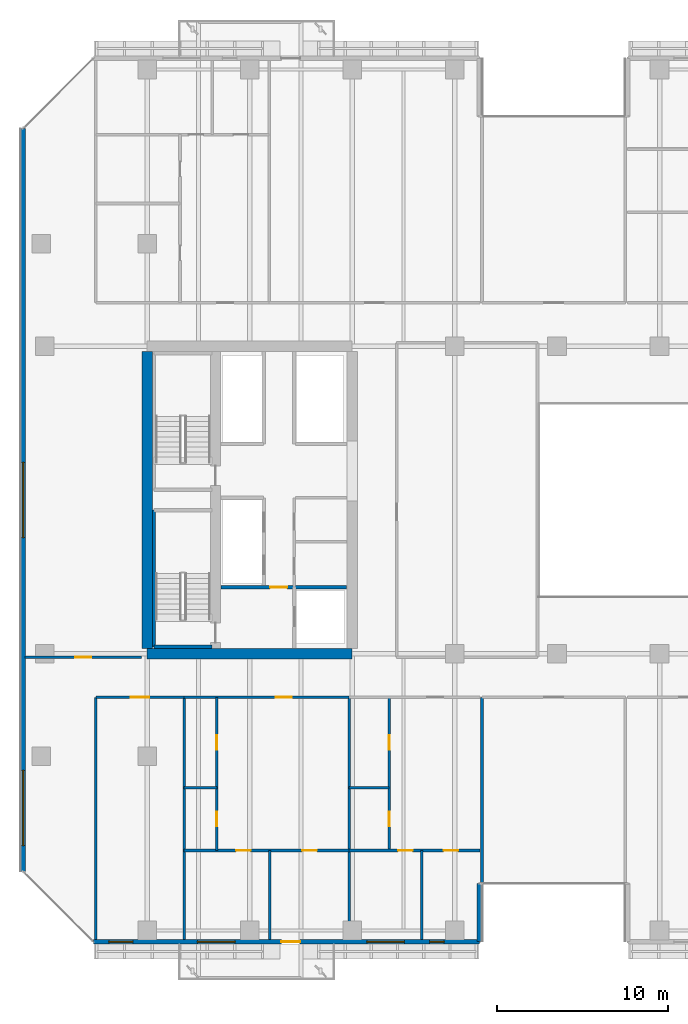
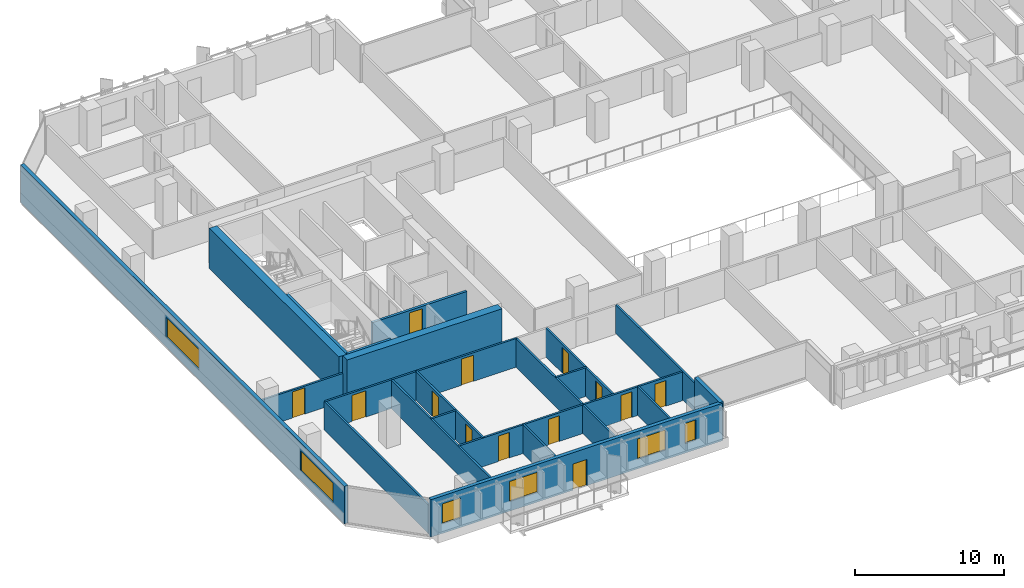
# One storey, part 19 of 34: 23 walls, 13 doors, 6 windows, 19 openings.
"""IFC4 building model written with IfcOpenShell, lengths in metres."""

from ifc_helpers import new_model, si_unit, direction, frame, frame_2d, origin, place, context, subcontext, project, spatial, rectangle, extrude, material, layer, layer_set, type_object, element, fill, save


model = new_model("IFC4")

# Units and contexts
model_context = context("Model", 3, precision=1e-05, world=origin(), true_north=direction((0.0, 1.0)))
body_context = subcontext(model_context, "Body", "Model", "MODEL_VIEW")
ifc_project = project(units=[si_unit("LENGTHUNIT", "METRE"), si_unit("AREAUNIT", "SQUARE_METRE"), si_unit("VOLUMEUNIT", "CUBIC_METRE"), si_unit("PLANEANGLEUNIT", "RADIAN"), si_unit("MASSUNIT", "GRAM", prefix="KILO")], contexts=[model_context])

# Site, building, storey
site_placement = place(None, origin())
site = spatial("IfcSite", under=ifc_project, at=site_placement, CompositionType="ELEMENT")
building_placement = place(site_placement, origin())
building = spatial("IfcBuilding", under=site, at=building_placement, Name="Tanjung Sevakor Pilgrim Tower", CompositionType="ELEMENT")
storey_placement = place(building_placement, frame((0.0, 0.0, 55.43994140625)))
storey = spatial("IfcBuildingStorey", under=building, at=storey_placement, Name="L15", CompositionType="ELEMENT", Elevation=55.43994140625)

# Walls
ifc_material_1 = material(Name="Concrete C60/75", Category="concrete")
ifc_layer_1 = layer(ifc_material_1, 0.60009765625)
ifc_layer_set_1 = layer_set([ifc_layer_1], Name="WALL-CW-600")
wall_type_1 = type_object("IfcWallType", Name="WALL-CW-600", PredefinedType="SHEAR", material=ifc_layer_set_1)
wall_1_placement = place(storey_placement, frame((24.0, 24.60009765625, 0.0), z_axis=(0.0, 0.0, 1.0), x_axis=(1.0, 0.0, 0.0)))
element("IfcWall", 1, at=wall_1_placement, inside=storey, type_object=wall_type_1, Name="L15 W Core South Shear Wall", PredefinedType="SHEAR", context=body_context, shape_type="SweptSolid", body=[
    extrude(rectangle(XDim=12.0, YDim=0.60009765625, at=frame_2d((6.0, 0.0))), origin(), (0.0, 0.0, 1.0), 3.300048828125),
])
wall_2_placement = place(storey_placement, frame((24.0, 24.89990234375, 0.0), z_axis=(0.0, 0.0, 1.0), x_axis=(0.0, 1.0, 0.0)))
element("IfcWall", 2, at=wall_2_placement, inside=storey, type_object=wall_type_1, Name="L15 W Core Outer Shear Wall", PredefinedType="SHEAR", context=body_context, shape_type="SweptSolid", body=[
    extrude(rectangle(XDim=17.400146484375, YDim=0.60009765625, at=frame_2d((8.7001953125, 0.0))), origin(), (0.0, 0.0, 1.0), 3.300048828125),
])

# Wall, opening, door
ifc_material_2 = material(Name="Concrete C40/50", Category="concrete")
ifc_layer_2 = layer(ifc_material_2, 0.14990234375)
ifc_layer_set_2 = layer_set([ifc_layer_2], Name="WT-COMP-150")
wall_type_2 = type_object("IfcWallType", Name="WT-COMP-150", PredefinedType="SOLIDWALL", material=ifc_layer_set_2)
wall_3_placement = place(storey_placement, frame((16.840087890625, 24.39990234375, 0.0), z_axis=(0.0, 0.0, 1.0), x_axis=(1.0, 0.0, 0.0)))
wall_3 = element("IfcWall", 3, at=wall_3_placement, inside=storey, type_object=wall_type_2, Name="L15 Partition IW-L15-031", PredefinedType="SOLIDWALL", context=body_context, shape_type="SweptSolid", body=[
    extrude(rectangle(XDim=6.83984375, YDim=0.14990234375, at=frame_2d((3.419921875, 0.0))), origin(), (0.0, 0.0, 1.0), 2.295166015625),
])
opening_1_placement = place(wall_3_placement, frame((2.945068359375, 0.0, 0.0)))
opening_1 = element("IfcOpeningElement", 4, at=opening_1_placement, cuts=wall_3, Name="Opening ID-FD2", PredefinedType="OPENING", context=body_context, shape_type="SweptSolid", body=[
    extrude(rectangle(XDim=0.949951171875, YDim=2.14990234375, at=frame_2d((0.47509765625, 1.074951171875))), frame((0.0, 0.0849609375, 0.0), z_axis=(0.0, -1.0, 0.0), x_axis=(1.0, 0.0, 0.0)), (0.0, 0.0, 1.0), 0.169921875),
])
ifc_material_3 = material(Name="Fire-Rated Timber", Category="wood")
door_type_1 = type_object("IfcDoorType", Name="DT-FIRE-950", OperationType="NOTDEFINED", PredefinedType="DOOR", material=ifc_material_3)
door_1_placement = place(opening_1_placement, origin())
door_1 = element("IfcDoor", 5, at=door_1_placement, inside=storey, type_object=door_type_1, Name="Study Room Entrance", OperationType="SINGLE_SWING_LEFT", OverallHeight=2.14990234375, OverallWidth=0.949951171875, PredefinedType="DOOR", context=body_context, shape_type="SweptSolid", body=[
    extrude(rectangle(XDim=0.949951171875, YDim=2.14990234375, at=frame_2d((0.47509765625, 1.074951171875))), frame((0.0, 0.02490234375, 0.0), z_axis=(0.0, -1.0, 0.0), x_axis=(1.0, 0.0, 0.0)), (0.0, 0.0, 1.0), 0.050048828125),
])
fill(opening_1, door_1)

# Walls
for number, where, z_axis, x_axis, name in (
    (6, (43.60009765625, 7.8798828125, 0.0), (0.0, 0.0, 1.0), (0.0, 1.0, 0.0), "L15 Partition IW-L15-039"),
    (7, (21.0, 7.8798828125, 0.0), (0.0, 0.0, 1.0), (0.0, 1.0, 0.0), "L15 Partition IW-L15-044"),
    (8, (26.162109375, 7.8798828125, 0.0), (0.0, 0.0, 1.0), (0.0, 1.0, 0.0), "L15 Partition IW-L15-045"),
):
    element("IfcWall", number, at=place(storey_placement, frame(where, z_axis=z_axis, x_axis=x_axis)), inside=storey, type_object=wall_type_2, Name=name, PredefinedType="SOLIDWALL", context=body_context, shape_type="SweptSolid", body=[
        extrude(rectangle(XDim=14.170166015625, YDim=0.14990234375, at=frame_2d((7.0849609375, 0.0))), origin(), (0.0, 0.0, 1.0), 2.35009765625),
    ])

# Wall, opening, door
wall_4_placement = place(storey_placement, frame((21.0, 22.050048828125, 0.0), z_axis=(0.0, 0.0, 1.0), x_axis=(1.0, 0.0, 0.0)))
wall_4 = element("IfcWall", 9, at=wall_4_placement, inside=storey, type_object=wall_type_2, Name="L15 Partition IW-L15-046", PredefinedType="SOLIDWALL", context=body_context, shape_type="SweptSolid", body=[
    extrude(rectangle(XDim=5.162109375, YDim=0.14990234375, at=frame_2d((2.5810546875, 0.0))), origin(), (0.0, 0.0, 1.0), 2.35009765625),
])
opening_2_placement = place(wall_4_placement, frame((2.031005859375, 0.0, 0.0)))
opening_2 = element("IfcOpeningElement", 10, at=opening_2_placement, cuts=wall_4, Name="Opening ID-FD0", PredefinedType="OPENING", context=body_context, shape_type="SweptSolid", body=[
    extrude(rectangle(XDim=1.10009765625, YDim=2.14990234375, at=frame_2d((0.550048828125, 1.074951171875))), frame((0.0, 0.0849609375, 0.0), z_axis=(0.0, -1.0, 0.0), x_axis=(1.0, 0.0, 0.0)), (0.0, 0.0, 1.0), 0.169921875),
])
ifc_material_4 = material(Name="Fire-Rated Steel S355J2", Category="steel")
door_type_2 = type_object("IfcDoorType", Name="DT-FIRE-1100", OperationType="NOTDEFINED", PredefinedType="DOOR", material=ifc_material_4)
door_2_placement = place(opening_2_placement, origin())
door_2 = element("IfcDoor", 11, at=door_2_placement, inside=storey, type_object=door_type_2, Name="Communal Lounge Door", OperationType="SINGLE_SWING_RIGHT", OverallHeight=2.14990234375, OverallWidth=1.10009765625, PredefinedType="DOOR", context=body_context, shape_type="SweptSolid", body=[
    extrude(rectangle(XDim=1.10009765625, YDim=2.14990234375, at=frame_2d((0.550048828125, 1.074951171875))), frame((0.0, 0.02490234375, 0.0), z_axis=(0.0, -1.0, 0.0), x_axis=(1.0, 0.0, 0.0)), (0.0, 0.0, 1.0), 0.050048828125),
])
fill(opening_2, door_2)

# Wall
wall_5_placement = place(storey_placement, frame((35.8203125, 7.8798828125, 0.0), z_axis=(0.0, 0.0, 1.0), x_axis=(0.0, 1.0, 0.0)))
element("IfcWall", 12, at=wall_5_placement, inside=storey, type_object=wall_type_2, Name="L15 Partition IW-L15-047", PredefinedType="SOLIDWALL", context=body_context, shape_type="SweptSolid", body=[
    extrude(rectangle(XDim=14.170166015625, YDim=0.14990234375, at=frame_2d((7.0849609375, 0.0))), origin(), (0.0, 0.0, 1.0), 2.35009765625),
])

# Wall, opening, door
wall_6_placement = place(storey_placement, frame((26.162109375, 22.050048828125, 0.0), z_axis=(0.0, 0.0, 1.0), x_axis=(1.0, 0.0, 0.0)))
wall_6 = element("IfcWall", 13, at=wall_6_placement, inside=storey, type_object=wall_type_2, Name="L15 Partition IW-L15-052", PredefinedType="SOLIDWALL", context=body_context, shape_type="SweptSolid", body=[
    extrude(rectangle(XDim=9.658203125, YDim=0.14990234375, at=frame_2d((4.8291015625, 0.0))), origin(), (0.0, 0.0, 1.0), 2.35009765625),
])
opening_3_placement = place(wall_6_placement, frame((5.35302734375, 0.0, 0.0)))
opening_3 = element("IfcOpeningElement", 14, at=opening_3_placement, cuts=wall_6, Name="Opening ID-FD2", PredefinedType="OPENING", context=body_context, shape_type="SweptSolid", body=[
    extrude(rectangle(XDim=0.949951171875, YDim=2.14990234375, at=frame_2d((0.47509765625, 1.074951171875))), frame((0.0, 0.0849609375, 0.0), z_axis=(0.0, -1.0, 0.0), x_axis=(1.0, 0.0, 0.0)), (0.0, 0.0, 1.0), 0.169921875),
])
door_3_placement = place(opening_3_placement, origin())
door_3 = element("IfcDoor", 15, at=door_3_placement, inside=storey, type_object=door_type_1, Name="Suite Entrance", OperationType="SINGLE_SWING_LEFT", OverallHeight=2.14990234375, OverallWidth=0.949951171875, PredefinedType="DOOR", context=body_context, shape_type="SweptSolid", body=[
    extrude(rectangle(XDim=0.949951171875, YDim=2.14990234375, at=frame_2d((0.47509765625, 1.074951171875))), frame((0.0, 0.02490234375, 0.0), z_axis=(0.0, -1.0, 0.0), x_axis=(1.0, 0.0, 0.0)), (0.0, 0.0, 1.0), 0.050048828125),
])
fill(opening_3, door_3)

# Wall, openings, door, windows
ifc_material_5 = material(Name="Precast concrete C45/55", Category="concrete")
ifc_layer_3 = layer(ifc_material_5, 0.280029296875)
ifc_layer_set_3 = layer_set([ifc_layer_3], Name="WT-EW-STN2")
wall_type_3 = type_object("IfcWallType", Name="WT-EW-STN2", PredefinedType="SOLIDWALL", material=ifc_layer_set_3)
wall_7_placement = place(storey_placement, frame((20.85791015625, 7.739990234375, 0.0), z_axis=(0.0, 0.0, 1.0), x_axis=(1.0, 0.0, 0.0)))
wall_7 = element("IfcWall", 16, at=wall_7_placement, inside=storey, type_object=wall_type_3, Name="L15 MAIN Exterior Wall 1", PredefinedType="SOLIDWALL", context=body_context, shape_type="SweptSolid", body=[
    extrude(rectangle(XDim=22.60205078125, YDim=0.280029296875, at=frame_2d((11.301025390625, 0.0))), origin(), (0.0, 0.0, 1.0), 3.080078125),
])
opening_4_placement = place(wall_7_placement, frame((10.991943359375, 0.0, 0.0)))
opening_4 = element("IfcOpeningElement", 17, at=opening_4_placement, cuts=wall_7, Name="Opening ED-BAL-1100", PredefinedType="OPENING", context=body_context, shape_type="SweptSolid", body=[
    extrude(rectangle(XDim=1.10009765625, YDim=2.14990234375, at=frame_2d((0.550048828125, 1.074951171875))), frame((0.0, 0.14990234375, 0.0), z_axis=(0.0, -1.0, 0.0), x_axis=(1.0, 0.0, 0.0)), (0.0, 0.0, 1.0), 0.300048828125),
])
opening_5_placement = place(wall_7_placement, frame((0.903076171875, 0.0, 0.780029296875)))
opening_5 = element("IfcOpeningElement", 18, at=opening_5_placement, cuts=wall_7, Name="Opening WN-END", PredefinedType="OPENING", context=body_context, shape_type="SweptSolid", body=[
    extrude(rectangle(XDim=1.39990234375, YDim=1.64990234375, at=frame_2d((0.699951171875, 0.824951171875))), frame((0.0, 0.14990234375, 0.0), z_axis=(0.0, -1.0, 0.0), x_axis=(1.0, 0.0, 0.0)), (0.0, 0.0, 1.0), 0.300048828125),
])
opening_6_placement = place(wall_7_placement, frame((6.085205078125, 0.0, 0.780029296875)))
opening_6 = element("IfcOpeningElement", 19, at=opening_6_placement, cuts=wall_7, Name="Opening WN-Z1-1660", PredefinedType="OPENING", context=body_context, shape_type="SweptSolid", body=[
    extrude(rectangle(XDim=2.199951171875, YDim=1.659912109375, at=frame_2d((1.10009765625, 0.830078125))), frame((0.0, 0.14990234375, 0.0), z_axis=(0.0, -1.0, 0.0), x_axis=(1.0, 0.0, 0.0)), (0.0, 0.0, 1.0), 0.300048828125),
])
opening_7_placement = place(wall_7_placement, frame((15.997314453125, 0.0, 0.780029296875)))
opening_7 = element("IfcOpeningElement", 20, at=opening_7_placement, cuts=wall_7, Name="Opening WN-Z1-1660", PredefinedType="OPENING", context=body_context, shape_type="SweptSolid", body=[
    extrude(rectangle(XDim=2.199951171875, YDim=1.659912109375, at=frame_2d((1.10009765625, 0.830078125))), frame((0.0, 0.14990234375, 0.0), z_axis=(0.0, -1.0, 0.0), x_axis=(1.0, 0.0, 0.0)), (0.0, 0.0, 1.0), 0.300048828125),
])
opening_8_placement = place(wall_7_placement, frame((19.68212890625, 0.0, 0.780029296875)))
opening_8 = element("IfcOpeningElement", 21, at=opening_8_placement, cuts=wall_7, Name="Opening WN-SLM", PredefinedType="OPENING", context=body_context, shape_type="SweptSolid", body=[
    extrude(rectangle(XDim=0.85009765625, YDim=1.64990234375, at=frame_2d((0.425048828125, 0.824951171875))), frame((0.0, 0.14990234375, 0.0), z_axis=(0.0, -1.0, 0.0), x_axis=(1.0, 0.0, 0.0)), (0.0, 0.0, 1.0), 0.300048828125),
])
ifc_material_6 = material(Name="Anodised Aluminium and Laminated Glass", Category="aluminium")
door_type_3 = type_object("IfcDoorType", Name="DTYP-ED-BAL-1100", OperationType="NOTDEFINED", PredefinedType="DOOR", material=ifc_material_6)
door_4_placement = place(opening_4_placement, frame((1.10009765625, 0.0, 0.0), z_axis=(0.0, 0.0, 1.0), x_axis=(-1.0, 0.0, 0.0)))
door_4 = element("IfcDoor", 22, at=door_4_placement, inside=storey, type_object=door_type_3, Name="L15 Balcony Door MAIN-S1", OperationType="SINGLE_SWING_RIGHT", OverallHeight=2.14990234375, OverallWidth=1.10009765625, PredefinedType="DOOR", context=body_context, shape_type="SweptSolid", body=[
    extrude(rectangle(XDim=1.10009765625, YDim=2.14990234375, at=frame_2d((0.550048828125, 1.074951171875))), frame((0.0, 0.02490234375, 0.0), z_axis=(0.0, -1.0, 0.0), x_axis=(1.0, 0.0, 0.0)), (0.0, 0.0, 1.0), 0.050048828125),
])
fill(opening_4, door_4)
ifc_material_7 = material(Name="Thermally Broken Aluminium and Low-E Glass", Category="aluminium")
window_type_1 = type_object("IfcWindowType", Name="WTYP-WN-END", PartitioningType="SINGLE_PANEL", PredefinedType="WINDOW", material=ifc_material_7)
window_1_placement = place(opening_5_placement, origin())
window_1 = element("IfcWindow", 23, at=window_1_placement, inside=storey, type_object=window_type_1, Name="L15 Facade Window 01", OverallHeight=1.64990234375, OverallWidth=1.39990234375, PartitioningType="SINGLE_PANEL", PredefinedType="WINDOW", context=body_context, shape_type="SweptSolid", body=[
    extrude(rectangle(XDim=1.39990234375, YDim=1.64990234375, at=frame_2d((0.699951171875, 0.824951171875))), frame((0.0, 0.030029296875, 0.0), z_axis=(0.0, -1.0, 0.0), x_axis=(1.0, 0.0, 0.0)), (0.0, 0.0, 1.0), 0.06005859375),
])
fill(opening_5, window_1)
ifc_material_8 = material(Name="Thermally Broken Aluminium and Low-E Glass", Category="aluminium")
window_type_2 = type_object("IfcWindowType", Name="WTYP-WN-SLM", PartitioningType="SINGLE_PANEL", PredefinedType="WINDOW", material=ifc_material_8)
window_2_placement = place(opening_8_placement, origin())
window_2 = element("IfcWindow", 24, at=window_2_placement, inside=storey, type_object=window_type_2, Name="L15 Facade Window 04", OverallHeight=1.64990234375, OverallWidth=0.85009765625, PartitioningType="SINGLE_PANEL", PredefinedType="WINDOW", context=body_context, shape_type="SweptSolid", body=[
    extrude(rectangle(XDim=0.85009765625, YDim=1.64990234375, at=frame_2d((0.425048828125, 0.824951171875))), frame((0.0, 0.030029296875, 0.0), z_axis=(0.0, -1.0, 0.0), x_axis=(1.0, 0.0, 0.0)), (0.0, 0.0, 1.0), 0.06005859375),
])
fill(opening_8, window_2)
ifc_material_9 = material(Name="Thermally Broken Aluminium and Low-E Glass", Category="aluminium")
window_type_3 = type_object("IfcWindowType", Name="WTYP-WN-Z1-1660", PartitioningType="DOUBLE_PANEL_VERTICAL", PredefinedType="WINDOW", material=ifc_material_9)
window_3_placement = place(opening_6_placement, origin())
window_3 = element("IfcWindow", 25, at=window_3_placement, inside=storey, type_object=window_type_3, Name="L15 Facade Window 02", OverallHeight=1.659912109375, OverallWidth=2.199951171875, PartitioningType="SINGLE_PANEL", PredefinedType="WINDOW", context=body_context, shape_type="SweptSolid", body=[
    extrude(rectangle(XDim=2.199951171875, YDim=1.659912109375, at=frame_2d((1.10009765625, 0.830078125))), frame((0.0, 0.030029296875, 0.0), z_axis=(0.0, -1.0, 0.0), x_axis=(1.0, 0.0, 0.0)), (0.0, 0.0, 1.0), 0.06005859375),
])
fill(opening_6, window_3)
window_4_placement = place(opening_7_placement, origin())
window_4 = element("IfcWindow", 26, at=window_4_placement, inside=storey, type_object=window_type_3, Name="L15 Facade Window 03", OverallHeight=1.659912109375, OverallWidth=2.199951171875, PartitioningType="SINGLE_PANEL", PredefinedType="WINDOW", context=body_context, shape_type="SweptSolid", body=[
    extrude(rectangle(XDim=2.199951171875, YDim=1.659912109375, at=frame_2d((1.10009765625, 0.830078125))), frame((0.0, 0.030029296875, 0.0), z_axis=(0.0, -1.0, 0.0), x_axis=(1.0, 0.0, 0.0)), (0.0, 0.0, 1.0), 0.06005859375),
])
fill(opening_7, window_4)

# Wall
wall_8_placement = place(storey_placement, frame((43.4599609375, 7.739990234375, 0.0), z_axis=(0.0, 0.0, 1.0), x_axis=(0.0, 1.0, 0.0)))
element("IfcWall", 27, at=wall_8_placement, inside=storey, type_object=wall_type_3, Name="L15 MAIN Exterior Wall 2", PredefinedType="SOLIDWALL", context=body_context, shape_type="SweptSolid", body=[
    extrude(rectangle(XDim=3.39990234375, YDim=0.280029296875, at=frame_2d((1.699951171875, 0.0))), origin(), (0.0, 0.0, 1.0), 3.080078125),
])

# Wall, openings, windows
wall_9_placement = place(storey_placement, frame((16.739990234375, 55.342041015625, 0.0), z_axis=(0.0, 0.0, 1.0), x_axis=(0.0, -1.0, 0.0)))
wall_9 = element("IfcWall", 28, at=wall_9_placement, inside=storey, type_object=wall_type_3, Name="L15 MAIN Exterior Wall 15", PredefinedType="SOLIDWALL", context=body_context, shape_type="SweptSolid", body=[
    extrude(rectangle(XDim=43.484130859375, YDim=0.280029296875, at=frame_2d((21.7421875, 0.0))), origin(), (0.0, 0.0, 1.0), 3.080078125),
])
opening_9_placement = place(wall_9_placement, frame((19.5419921875, 0.0, 0.780029296875)))
opening_9 = element("IfcOpeningElement", 29, at=opening_9_placement, cuts=wall_9, Name="Opening WN-ENDW-1660", PredefinedType="OPENING", context=body_context, shape_type="SweptSolid", body=[
    extrude(rectangle(XDim=4.39990234375, YDim=1.659912109375, at=frame_2d((2.199951171875, 0.830078125))), frame((0.0, 0.14990234375, 0.0), z_axis=(0.0, -1.0, 0.0), x_axis=(1.0, 0.0, 0.0)), (0.0, 0.0, 1.0), 0.300048828125),
])
opening_10_placement = place(wall_9_placement, frame((37.572998046875, 0.0, 0.780029296875)))
opening_10 = element("IfcOpeningElement", 30, at=opening_10_placement, cuts=wall_9, Name="Opening WN-ENDW-1660", PredefinedType="OPENING", context=body_context, shape_type="SweptSolid", body=[
    extrude(rectangle(XDim=4.39990234375, YDim=1.659912109375, at=frame_2d((2.199951171875, 0.830078125))), frame((0.0, 0.14990234375, 0.0), z_axis=(0.0, -1.0, 0.0), x_axis=(1.0, 0.0, 0.0)), (0.0, 0.0, 1.0), 0.300048828125),
])
ifc_material_10 = material(Name="Thermally Broken Aluminium and Low-E Glass", Category="aluminium")
window_type_4 = type_object("IfcWindowType", Name="WTYP-WN-ENDW-1660", PartitioningType="DOUBLE_PANEL_VERTICAL", PredefinedType="WINDOW", material=ifc_material_10)
window_5_placement = place(opening_9_placement, origin())
window_5 = element("IfcWindow", 31, at=window_5_placement, inside=storey, type_object=window_type_4, Name="L15 Facade Window 01", OverallHeight=1.659912109375, OverallWidth=4.39990234375, PartitioningType="SINGLE_PANEL", PredefinedType="WINDOW", context=body_context, shape_type="SweptSolid", body=[
    extrude(rectangle(XDim=4.39990234375, YDim=1.659912109375, at=frame_2d((2.199951171875, 0.830078125))), frame((0.0, 0.030029296875, 0.0), z_axis=(0.0, -1.0, 0.0), x_axis=(1.0, 0.0, 0.0)), (0.0, 0.0, 1.0), 0.06005859375),
])
fill(opening_9, window_5)
window_6_placement = place(opening_10_placement, origin())
window_6 = element("IfcWindow", 32, at=window_6_placement, inside=storey, type_object=window_type_4, Name="L15 Facade Window 02", OverallHeight=1.659912109375, OverallWidth=4.39990234375, PartitioningType="SINGLE_PANEL", PredefinedType="WINDOW", context=body_context, shape_type="SweptSolid", body=[
    extrude(rectangle(XDim=4.39990234375, YDim=1.659912109375, at=frame_2d((2.199951171875, 0.830078125))), frame((0.0, 0.030029296875, 0.0), z_axis=(0.0, -1.0, 0.0), x_axis=(1.0, 0.0, 0.0)), (0.0, 0.0, 1.0), 0.06005859375),
])
fill(opening_10, window_6)

# Walls
ifc_material_11 = material(Name="Concrete C40/50", Category="concrete")
ifc_layer_4 = layer(ifc_material_11, 0.199951171875)
ifc_layer_set_4 = layer_set([ifc_layer_4], Name="WT-FIRE-200")
wall_type_4 = type_object("IfcWallType", Name="WT-FIRE-200", PredefinedType="SOLIDWALL", material=ifc_layer_set_4)
wall_10_placement = place(storey_placement, frame((24.39990234375, 25.0, 0.0), z_axis=(0.0, 0.0, 1.0), x_axis=(1.0, 0.0, 0.0)))
element("IfcWall", 33, at=wall_10_placement, inside=storey, type_object=wall_type_4, Name="L15 TS-W1 Shaft Wall 1", PredefinedType="SOLIDWALL", context=body_context, shape_type="SweptSolid", body=[
    extrude(rectangle(XDim=3.400146484375, YDim=0.199951171875, at=frame_2d((1.7001953125, 0.0))), origin(), (0.0, 0.0, 1.0), 3.300048828125),
])
wall_11_placement = place(storey_placement, frame((24.39990234375, 33.0, 0.0), z_axis=(0.0, 0.0, 1.0), x_axis=(0.0, -1.0, 0.0)))
element("IfcWall", 34, at=wall_11_placement, inside=storey, type_object=wall_type_4, Name="L15 TS-W1 Shaft Wall 3", PredefinedType="SOLIDWALL", context=body_context, shape_type="SweptSolid", body=[
    extrude(rectangle(XDim=8.0, YDim=0.199951171875, at=frame_2d((4.0, 0.0))), origin(), (0.0, 0.0, 1.0), 3.300048828125),
])

# Wall, opening, door
ifc_material_12 = material(Name="Concrete C40/50", Category="concrete")
ifc_layer_5 = layer(ifc_material_12, 0.199951171875)
ifc_layer_set_5 = layer_set([ifc_layer_5], Name="WT-FPRT-200")
wall_type_5 = type_object("IfcWallType", Name="WT-FPRT-200", PredefinedType="SOLIDWALL", material=ifc_layer_set_5)
wall_12_placement = place(storey_placement, frame((28.320068359375, 28.5, 0.0), z_axis=(0.0, 0.0, 1.0), x_axis=(1.0, 0.0, 0.0)))
wall_12 = element("IfcWall", 35, at=wall_12_placement, inside=storey, type_object=wall_type_5, Name="L15 Partition IW-L15-002", PredefinedType="SOLIDWALL", context=body_context, shape_type="SweptSolid", body=[
    extrude(rectangle(XDim=7.35986328125, YDim=0.199951171875, at=frame_2d((3.679931640625, 0.0))), origin(), (0.0, 0.0, 1.0), 2.35009765625),
])
opening_11_placement = place(wall_12_placement, frame((2.8798828125, 0.0, 0.0)))
opening_11 = element("IfcOpeningElement", 36, at=opening_11_placement, cuts=wall_12, Name="Opening ID-FD1", PredefinedType="OPENING", context=body_context, shape_type="SweptSolid", body=[
    extrude(rectangle(XDim=1.0, YDim=2.14990234375, at=frame_2d((0.5, 1.074951171875))), frame((0.0, 0.10986328125, 0.0), z_axis=(0.0, -1.0, 0.0), x_axis=(1.0, 0.0, 0.0)), (0.0, 0.0, 1.0), 0.219970703125),
])
ifc_material_13 = material(Name="Fire-Rated Steel S355J2", Category="steel")
door_type_4 = type_object("IfcDoorType", Name="DT-FIRE-1000", OperationType="NOTDEFINED", PredefinedType="DOOR", material=ifc_material_13)
door_5_placement = place(opening_11_placement, origin())
door_5 = element("IfcDoor", 37, at=door_5_placement, inside=storey, type_object=door_type_4, Name="Fire Lobby Door W", OperationType="SINGLE_SWING_RIGHT", OverallHeight=2.14990234375, OverallWidth=1.0, PredefinedType="DOOR", context=body_context, shape_type="SweptSolid", body=[
    extrude(rectangle(XDim=1.0, YDim=2.14990234375, at=frame_2d((0.5, 1.074951171875))), frame((0.0, 0.02490234375, 0.0), z_axis=(0.0, -1.0, 0.0), x_axis=(1.0, 0.0, 0.0)), (0.0, 0.0, 1.0), 0.050048828125),
])
fill(opening_11, door_5)

# Wall
ifc_material_14 = material(Name="Gypsum Board Partition", Category="gypsum board")
ifc_layer_6 = layer(ifc_material_14, 0.14990234375)
ifc_layer_set_6 = layer_set([ifc_layer_6], Name="WT-PART-150")
wall_type_6 = type_object("IfcWallType", Name="WT-PART-150", PredefinedType="PARTITIONING", material=ifc_layer_set_6)
wall_13_placement = place(storey_placement, frame((26.162109375, 16.7578125, 0.0), z_axis=(0.0, 0.0, 1.0), x_axis=(1.0, 0.0, 0.0)))
element("IfcWall", 38, at=wall_13_placement, inside=storey, type_object=wall_type_6, Name="L15 Partition IW-L15-048", PredefinedType="PARTITIONING", context=body_context, shape_type="SweptSolid", body=[
    extrude(rectangle(XDim=1.91796875, YDim=0.14990234375, at=frame_2d((0.958984375, 0.0))), origin(), (0.0, 0.0, 1.0), 2.35009765625),
])

# Wall, openings, doors
wall_14_placement = place(storey_placement, frame((28.080078125, 13.080078125, 0.0), z_axis=(0.0, 0.0, 1.0), x_axis=(0.0, 1.0, 0.0)))
wall_14 = element("IfcWall", 39, at=wall_14_placement, inside=storey, type_object=wall_type_6, Name="L15 Partition IW-L15-049", PredefinedType="PARTITIONING", context=body_context, shape_type="SweptSolid", body=[
    extrude(rectangle(XDim=8.969970703125, YDim=0.14990234375, at=frame_2d((4.48486328125, 0.0))), origin(), (0.0, 0.0, 1.0), 2.35009765625),
])
opening_12_placement = place(wall_14_placement, frame((1.413818359375, 0.0, 0.0)))
opening_12 = element("IfcOpeningElement", 40, at=opening_12_placement, cuts=wall_14, Name="Opening ID-WC1", PredefinedType="OPENING", context=body_context, shape_type="SweptSolid", body=[
    extrude(rectangle(XDim=0.85009765625, YDim=2.10009765625, at=frame_2d((0.425048828125, 1.050048828125))), frame((0.0, 0.0849609375, 0.0), z_axis=(0.0, -1.0, 0.0), x_axis=(1.0, 0.0, 0.0)), (0.0, 0.0, 1.0), 0.169921875),
])
opening_13_placement = place(wall_14_placement, frame((5.89892578125, 0.0, 0.0)))
opening_13 = element("IfcOpeningElement", 41, at=opening_13_placement, cuts=wall_14, Name="Opening ID-WC1", PredefinedType="OPENING", context=body_context, shape_type="SweptSolid", body=[
    extrude(rectangle(XDim=0.85009765625, YDim=2.10009765625, at=frame_2d((0.425048828125, 1.050048828125))), frame((0.0, 0.0849609375, 0.0), z_axis=(0.0, -1.0, 0.0), x_axis=(1.0, 0.0, 0.0)), (0.0, 0.0, 1.0), 0.169921875),
])
ifc_material_15 = material(Name="Moisture-Resistant Timber", Category="wood")
door_type_5 = type_object("IfcDoorType", Name="DT-INT-850", OperationType="NOTDEFINED", PredefinedType="DOOR", material=ifc_material_15)
door_6_placement = place(opening_12_placement, origin())
door_6 = element("IfcDoor", 42, at=door_6_placement, inside=storey, type_object=door_type_5, Name="Suite Bathroom Door", OperationType="SINGLE_SWING_LEFT", OverallHeight=2.10009765625, OverallWidth=0.85009765625, PredefinedType="DOOR", context=body_context, shape_type="SweptSolid", body=[
    extrude(rectangle(XDim=0.85009765625, YDim=2.10009765625, at=frame_2d((0.425048828125, 1.050048828125))), frame((0.0, 0.02490234375, 0.0), z_axis=(0.0, -1.0, 0.0), x_axis=(1.0, 0.0, 0.0)), (0.0, 0.0, 1.0), 0.050048828125),
])
fill(opening_12, door_6)
door_7_placement = place(opening_13_placement, origin())
door_7 = element("IfcDoor", 43, at=door_7_placement, inside=storey, type_object=door_type_5, Name="Suite Kitchenette Door", OperationType="SINGLE_SWING_RIGHT", OverallHeight=2.10009765625, OverallWidth=0.85009765625, PredefinedType="DOOR", context=body_context, shape_type="SweptSolid", body=[
    extrude(rectangle(XDim=0.85009765625, YDim=2.10009765625, at=frame_2d((0.425048828125, 1.050048828125))), frame((0.0, 0.02490234375, 0.0), z_axis=(0.0, -1.0, 0.0), x_axis=(1.0, 0.0, 0.0)), (0.0, 0.0, 1.0), 0.050048828125),
])
fill(opening_13, door_7)

# Wall
wall_15_placement = place(storey_placement, frame((31.184326171875, 7.8798828125, 0.0), z_axis=(0.0, 0.0, 1.0), x_axis=(0.0, 1.0, 0.0)))
element("IfcWall", 44, at=wall_15_placement, inside=storey, type_object=wall_type_6, Name="L15 Partition IW-L15-050", PredefinedType="PARTITIONING", context=body_context, shape_type="SweptSolid", body=[
    extrude(rectangle(XDim=5.2001953125, YDim=0.14990234375, at=frame_2d((2.60009765625, 0.0))), origin(), (0.0, 0.0, 1.0), 2.35009765625),
])

# Wall, openings, doors
wall_16_placement = place(storey_placement, frame((26.162109375, 13.080078125, 0.0), z_axis=(0.0, 0.0, 1.0), x_axis=(1.0, 0.0, 0.0)))
wall_16 = element("IfcWall", 45, at=wall_16_placement, inside=storey, type_object=wall_type_6, Name="L15 Partition IW-L15-051", PredefinedType="PARTITIONING", context=body_context, shape_type="SweptSolid", body=[
    extrude(rectangle(XDim=9.658203125, YDim=0.14990234375, at=frame_2d((4.8291015625, 0.0))), origin(), (0.0, 0.0, 1.0), 2.35009765625),
])
opening_14_placement = place(wall_16_placement, frame((3.045166015625, 0.0, 0.0)))
opening_14 = element("IfcOpeningElement", 46, at=opening_14_placement, cuts=wall_16, Name="Opening ID-WC1", PredefinedType="OPENING", context=body_context, shape_type="SweptSolid", body=[
    extrude(rectangle(XDim=0.85009765625, YDim=2.10009765625, at=frame_2d((0.425048828125, 1.050048828125))), frame((0.0, 0.0849609375, 0.0), z_axis=(0.0, -1.0, 0.0), x_axis=(1.0, 0.0, 0.0)), (0.0, 0.0, 1.0), 0.169921875),
])
opening_15_placement = place(wall_16_placement, frame((6.915283203125, 0.0, 0.0)))
opening_15 = element("IfcOpeningElement", 47, at=opening_15_placement, cuts=wall_16, Name="Opening ID-WC1", PredefinedType="OPENING", context=body_context, shape_type="SweptSolid", body=[
    extrude(rectangle(XDim=0.85009765625, YDim=2.10009765625, at=frame_2d((0.425048828125, 1.050048828125))), frame((0.0, 0.0849609375, 0.0), z_axis=(0.0, -1.0, 0.0), x_axis=(1.0, 0.0, 0.0)), (0.0, 0.0, 1.0), 0.169921875),
])
door_8_placement = place(opening_14_placement, origin())
door_8 = element("IfcDoor", 48, at=door_8_placement, inside=storey, type_object=door_type_5, Name="Suite Bedroom 1 Door", OperationType="SINGLE_SWING_LEFT", OverallHeight=2.10009765625, OverallWidth=0.85009765625, PredefinedType="DOOR", context=body_context, shape_type="SweptSolid", body=[
    extrude(rectangle(XDim=0.85009765625, YDim=2.10009765625, at=frame_2d((0.425048828125, 1.050048828125))), frame((0.0, 0.02490234375, 0.0), z_axis=(0.0, -1.0, 0.0), x_axis=(1.0, 0.0, 0.0)), (0.0, 0.0, 1.0), 0.050048828125),
])
fill(opening_14, door_8)
door_9_placement = place(opening_15_placement, origin())
door_9 = element("IfcDoor", 49, at=door_9_placement, inside=storey, type_object=door_type_5, Name="Suite Bedroom 2 Door", OperationType="SINGLE_SWING_RIGHT", OverallHeight=2.10009765625, OverallWidth=0.85009765625, PredefinedType="DOOR", context=body_context, shape_type="SweptSolid", body=[
    extrude(rectangle(XDim=0.85009765625, YDim=2.10009765625, at=frame_2d((0.425048828125, 1.050048828125))), frame((0.0, 0.02490234375, 0.0), z_axis=(0.0, -1.0, 0.0), x_axis=(1.0, 0.0, 0.0)), (0.0, 0.0, 1.0), 0.050048828125),
])
fill(opening_15, door_9)

# Wall
wall_17_placement = place(storey_placement, frame((35.8203125, 16.7578125, 0.0), z_axis=(0.0, 0.0, 1.0), x_axis=(1.0, 0.0, 0.0)))
element("IfcWall", 50, at=wall_17_placement, inside=storey, type_object=wall_type_6, Name="L15 Partition IW-L15-053", PredefinedType="PARTITIONING", context=body_context, shape_type="SweptSolid", body=[
    extrude(rectangle(XDim=2.349853515625, YDim=0.14990234375, at=frame_2d((1.1748046875, 0.0))), origin(), (0.0, 0.0, 1.0), 2.35009765625),
])

# Wall, openings, doors
wall_18_placement = place(storey_placement, frame((38.170166015625, 13.080078125, 0.0), z_axis=(0.0, 0.0, 1.0), x_axis=(0.0, 1.0, 0.0)))
wall_18 = element("IfcWall", 51, at=wall_18_placement, inside=storey, type_object=wall_type_6, Name="L15 Partition IW-L15-054", PredefinedType="PARTITIONING", context=body_context, shape_type="SweptSolid", body=[
    extrude(rectangle(XDim=8.969970703125, YDim=0.14990234375, at=frame_2d((4.48486328125, 0.0))), origin(), (0.0, 0.0, 1.0), 2.35009765625),
])
opening_16_placement = place(wall_18_placement, frame((1.413818359375, 0.0, 0.0)))
opening_16 = element("IfcOpeningElement", 52, at=opening_16_placement, cuts=wall_18, Name="Opening ID-WC1", PredefinedType="OPENING", context=body_context, shape_type="SweptSolid", body=[
    extrude(rectangle(XDim=0.85009765625, YDim=2.10009765625, at=frame_2d((0.425048828125, 1.050048828125))), frame((0.0, 0.0849609375, 0.0), z_axis=(0.0, -1.0, 0.0), x_axis=(1.0, 0.0, 0.0)), (0.0, 0.0, 1.0), 0.169921875),
])
opening_17_placement = place(wall_18_placement, frame((5.89892578125, 0.0, 0.0)))
opening_17 = element("IfcOpeningElement", 53, at=opening_17_placement, cuts=wall_18, Name="Opening ID-WC1", PredefinedType="OPENING", context=body_context, shape_type="SweptSolid", body=[
    extrude(rectangle(XDim=0.85009765625, YDim=2.10009765625, at=frame_2d((0.425048828125, 1.050048828125))), frame((0.0, 0.0849609375, 0.0), z_axis=(0.0, -1.0, 0.0), x_axis=(1.0, 0.0, 0.0)), (0.0, 0.0, 1.0), 0.169921875),
])
door_10_placement = place(opening_16_placement, origin())
door_10 = element("IfcDoor", 54, at=door_10_placement, inside=storey, type_object=door_type_5, Name="Suite Bathroom Door", OperationType="SINGLE_SWING_RIGHT", OverallHeight=2.10009765625, OverallWidth=0.85009765625, PredefinedType="DOOR", context=body_context, shape_type="SweptSolid", body=[
    extrude(rectangle(XDim=0.85009765625, YDim=2.10009765625, at=frame_2d((0.425048828125, 1.050048828125))), frame((0.0, 0.02490234375, 0.0), z_axis=(0.0, -1.0, 0.0), x_axis=(1.0, 0.0, 0.0)), (0.0, 0.0, 1.0), 0.050048828125),
])
fill(opening_16, door_10)
door_11_placement = place(opening_17_placement, origin())
door_11 = element("IfcDoor", 55, at=door_11_placement, inside=storey, type_object=door_type_5, Name="Suite Kitchenette Door", OperationType="SINGLE_SWING_LEFT", OverallHeight=2.10009765625, OverallWidth=0.85009765625, PredefinedType="DOOR", context=body_context, shape_type="SweptSolid", body=[
    extrude(rectangle(XDim=0.85009765625, YDim=2.10009765625, at=frame_2d((0.425048828125, 1.050048828125))), frame((0.0, 0.02490234375, 0.0), z_axis=(0.0, -1.0, 0.0), x_axis=(1.0, 0.0, 0.0)), (0.0, 0.0, 1.0), 0.050048828125),
])
fill(opening_17, door_11)

# Wall
wall_19_placement = place(storey_placement, frame((40.0703125, 7.8798828125, 0.0), z_axis=(0.0, 0.0, 1.0), x_axis=(0.0, 1.0, 0.0)))
element("IfcWall", 56, at=wall_19_placement, inside=storey, type_object=wall_type_6, Name="L15 Partition IW-L15-055", PredefinedType="PARTITIONING", context=body_context, shape_type="SweptSolid", body=[
    extrude(rectangle(XDim=5.2001953125, YDim=0.14990234375, at=frame_2d((2.60009765625, 0.0))), origin(), (0.0, 0.0, 1.0), 2.35009765625),
])

# Wall, openings, doors
wall_20_placement = place(storey_placement, frame((35.8203125, 13.080078125, 0.0), z_axis=(0.0, 0.0, 1.0), x_axis=(1.0, 0.0, 0.0)))
wall_20 = element("IfcWall", 57, at=wall_20_placement, inside=storey, type_object=wall_type_6, Name="L15 Partition IW-L15-056", PredefinedType="PARTITIONING", context=body_context, shape_type="SweptSolid", body=[
    extrude(rectangle(XDim=7.65966796875, YDim=0.14990234375, at=frame_2d((3.829833984375, 0.0))), origin(), (0.0, 0.0, 1.0), 2.35009765625),
])
opening_18_placement = place(wall_20_placement, frame((2.875, 0.0, 0.0)))
opening_18 = element("IfcOpeningElement", 58, at=opening_18_placement, cuts=wall_20, Name="Opening ID-WC1", PredefinedType="OPENING", context=body_context, shape_type="SweptSolid", body=[
    extrude(rectangle(XDim=0.85009765625, YDim=2.10009765625, at=frame_2d((0.425048828125, 1.050048828125))), frame((0.0, 0.0849609375, 0.0), z_axis=(0.0, -1.0, 0.0), x_axis=(1.0, 0.0, 0.0)), (0.0, 0.0, 1.0), 0.169921875),
])
opening_19_placement = place(wall_20_placement, frame((5.52978515625, 0.0, 0.0)))
opening_19 = element("IfcOpeningElement", 59, at=opening_19_placement, cuts=wall_20, Name="Opening ID-WC1", PredefinedType="OPENING", context=body_context, shape_type="SweptSolid", body=[
    extrude(rectangle(XDim=0.85009765625, YDim=2.10009765625, at=frame_2d((0.425048828125, 1.050048828125))), frame((0.0, 0.0849609375, 0.0), z_axis=(0.0, -1.0, 0.0), x_axis=(1.0, 0.0, 0.0)), (0.0, 0.0, 1.0), 0.169921875),
])
door_12_placement = place(opening_18_placement, origin())
door_12 = element("IfcDoor", 60, at=door_12_placement, inside=storey, type_object=door_type_5, Name="Suite Bedroom 1 Door", OperationType="SINGLE_SWING_RIGHT", OverallHeight=2.10009765625, OverallWidth=0.85009765625, PredefinedType="DOOR", context=body_context, shape_type="SweptSolid", body=[
    extrude(rectangle(XDim=0.85009765625, YDim=2.10009765625, at=frame_2d((0.425048828125, 1.050048828125))), frame((0.0, 0.02490234375, 0.0), z_axis=(0.0, -1.0, 0.0), x_axis=(1.0, 0.0, 0.0)), (0.0, 0.0, 1.0), 0.050048828125),
])
fill(opening_18, door_12)
door_13_placement = place(opening_19_placement, origin())
door_13 = element("IfcDoor", 61, at=door_13_placement, inside=storey, type_object=door_type_5, Name="Suite Bedroom 2 Door", OperationType="SINGLE_SWING_LEFT", OverallHeight=2.10009765625, OverallWidth=0.85009765625, PredefinedType="DOOR", context=body_context, shape_type="SweptSolid", body=[
    extrude(rectangle(XDim=0.85009765625, YDim=2.10009765625, at=frame_2d((0.425048828125, 1.050048828125))), frame((0.0, 0.02490234375, 0.0), z_axis=(0.0, -1.0, 0.0), x_axis=(1.0, 0.0, 0.0)), (0.0, 0.0, 1.0), 0.050048828125),
])
fill(opening_19, door_13)

save(model, "model.ifc")
